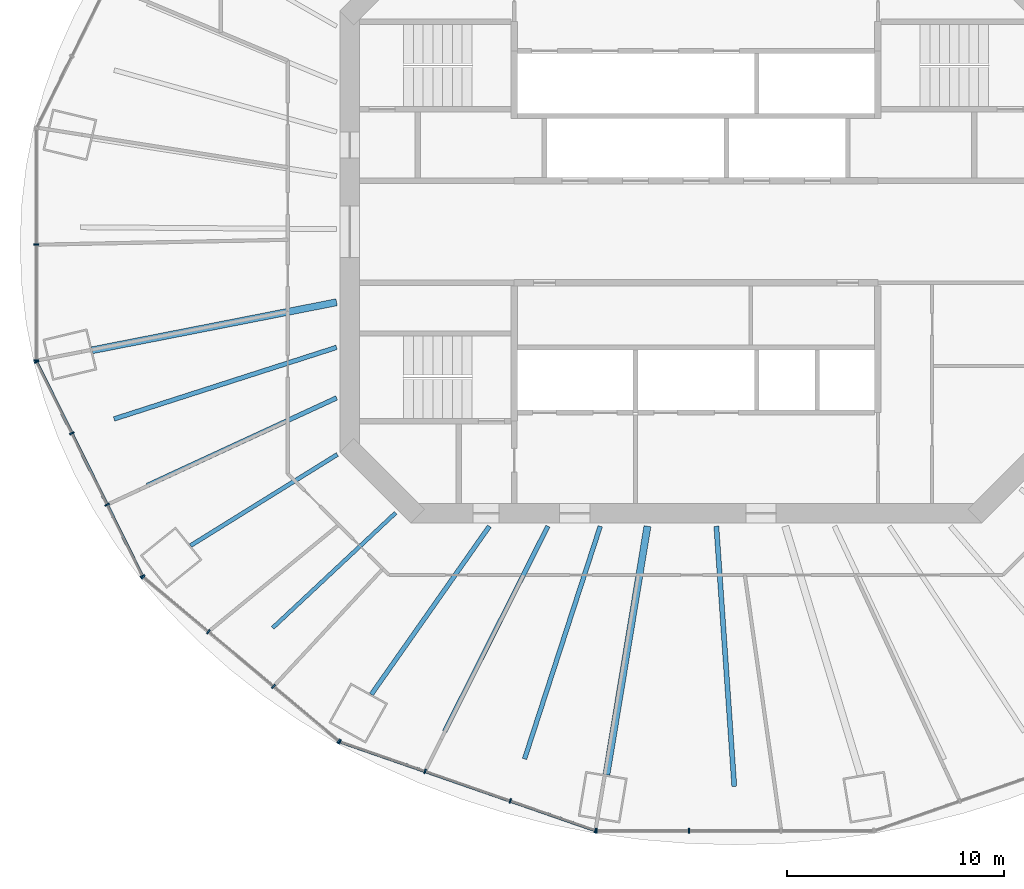
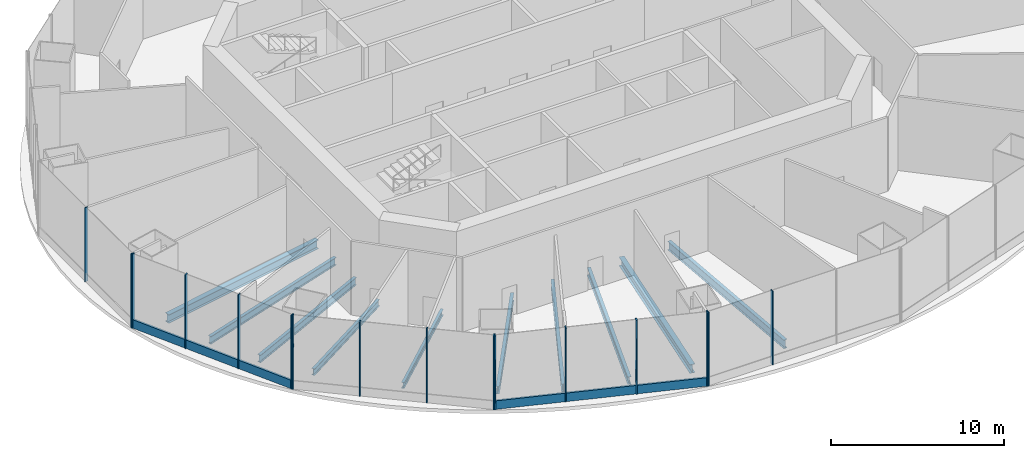
# One storey, part 2 of 15: 18 members, 10 beams, 5 elements without a shape of their own.
"""IFC4 building model written with IfcOpenShell, lengths in metres."""

from ifc_helpers import new_model, si_unit, direction, frame, origin, origin_2d, place, context, subcontext, project, spatial, rectangle, i_section, extrude, material, material_profile, profile_set, type_object, element, aggregate, save


model = new_model("IFC4")

# Units and contexts
model_context = context("Model", 3, precision=1e-05, world=origin(), true_north=direction((0.0, 1.0)))
body_context = subcontext(model_context, "Body", "Model", "MODEL_VIEW")
ifc_project = project(units=[si_unit("LENGTHUNIT", "METRE"), si_unit("AREAUNIT", "SQUARE_METRE"), si_unit("VOLUMEUNIT", "CUBIC_METRE"), si_unit("PLANEANGLEUNIT", "RADIAN"), si_unit("MASSUNIT", "GRAM", prefix="KILO")], contexts=[model_context])

# Site, building, storey
site_placement = place(None, origin())
site = spatial("IfcSite", under=ifc_project, at=site_placement, CompositionType="ELEMENT")
building_placement = place(site_placement, origin())
building = spatial("IfcBuilding", under=site, at=building_placement, Name="Marenthal Gate Tower", CompositionType="ELEMENT")
storey_placement = place(building_placement, frame((0.0, 0.0, 155.64990234375)))
storey = spatial("IfcBuildingStorey", under=building, at=storey_placement, Name="L33", CompositionType="ELEMENT", Elevation=155.64990234375)

# Curtain wall, members
ifc_material_1 = material(Name="Aluminium and glass", Category="aluminium")
curtain_wall_type = type_object("IfcCurtainWallType", Name="Curtain wall sky lobby", PredefinedType="NOTDEFINED", material=ifc_material_1)
curtain_wall_1_placement = place(storey_placement, origin())
curtain_wall_1 = element("IfcCurtainWall", 1, at=curtain_wall_1_placement, inside=storey, type_object=curtain_wall_type, Name="Curtain wall L33 bay 8", PredefinedType="NOTDEFINED")
ifc_material_2 = material(Name="Aluminium", Category="aluminium")
ifc_material_profile_1 = material_profile(ifc_material_2, rectangle(XDim=0.219970703125, YDim=0.070068359375, at=origin_2d()), Name="70x220 aluminium mullion")
ifc_profile_set_1 = profile_set([ifc_material_profile_1], Name="Aluminium")
member_type_1 = type_object("IfcMemberType", Name="Mullion 70x220 sky lobby", PredefinedType="MULLION", material=ifc_profile_set_1)
member_1_placement = place(storey_placement, frame((-30.466796875, -0.60009765625, 0.0), z_axis=(0.0, 0.0, 1.0), x_axis=(1.0, 0.0, 0.0)))
member_1 = element("IfcMember", 2, at=member_1_placement, type_object=member_type_1, Name="Mullion L33 bay 8.2", PredefinedType="MULLION", context=body_context, shape_type="SweptSolid", body=[
    extrude(rectangle(XDim=0.219970703125, YDim=0.070068359375, at=origin_2d()), origin(), (0.0, 0.0, 1.0), 5.22021484375),
])
member_2_placement = place(storey_placement, frame((-30.466796875, -5.952880859375, 0.0), z_axis=(0.0, 0.0, 1.0), x_axis=(1.0, 0.0, 0.0)))
member_2 = element("IfcMember", 3, at=member_2_placement, type_object=member_type_1, Name="Mullion L33 bay 8.3", PredefinedType="MULLION", context=body_context, shape_type="SweptSolid", body=[
    extrude(rectangle(XDim=0.219970703125, YDim=0.070068359375, at=origin_2d()), origin(), (0.0, 0.0, 1.0), 5.22021484375),
])
aggregate(curtain_wall_1, [member_1, member_2])

curtain_wall_2_placement = place(storey_placement, origin())
curtain_wall_2 = element("IfcCurtainWall", 4, at=curtain_wall_2_placement, inside=storey, type_object=curtain_wall_type, Name="Curtain wall L33 bay 9", PredefinedType="NOTDEFINED")
member_3_placement = place(storey_placement, frame((-30.45361328125, -6.009765625, 0.0), z_axis=(0.0, 0.0, 1.0), x_axis=(0.896608747182, 0.442823615536, 0.0)))
member_3 = element("IfcMember", 5, at=member_3_placement, type_object=member_type_1, Name="Mullion L33 bay 9.1", PredefinedType="MULLION", context=body_context, shape_type="SweptSolid", body=[
    extrude(rectangle(XDim=0.219970703125, YDim=0.070068359375, at=origin_2d()), origin(), (0.0, 0.0, 1.0), 5.22021484375),
])
member_4_placement = place(storey_placement, frame((-28.824951171875, -9.307373046875, 0.0), z_axis=(0.0, 0.0, 1.0), x_axis=(0.896608747182, 0.442823615536, 0.0)))
member_4 = element("IfcMember", 6, at=member_4_placement, type_object=member_type_1, Name="Mullion L33 bay 9.2", PredefinedType="MULLION", context=body_context, shape_type="SweptSolid", body=[
    extrude(rectangle(XDim=0.219970703125, YDim=0.070068359375, at=origin_2d()), origin(), (0.0, 0.0, 1.0), 5.22021484375),
])
member_5_placement = place(storey_placement, frame((-27.1962890625, -12.60498046875, 0.0), z_axis=(0.0, 0.0, 1.0), x_axis=(0.896608747182, 0.442823615536, 0.0)))
member_5 = element("IfcMember", 7, at=member_5_placement, type_object=member_type_1, Name="Mullion L33 bay 9.3", PredefinedType="MULLION", context=body_context, shape_type="SweptSolid", body=[
    extrude(rectangle(XDim=0.219970703125, YDim=0.070068359375, at=origin_2d()), origin(), (0.0, 0.0, 1.0), 5.22021484375),
])
member_6_placement = place(storey_placement, frame((-25.56787109375, -15.90234375, 0.0), z_axis=(0.0, 0.0, 1.0), x_axis=(0.896608747182, 0.442823615536, 0.0)))
member_6 = element("IfcMember", 8, at=member_6_placement, type_object=member_type_1, Name="Mullion L33 bay 9.4", PredefinedType="MULLION", context=body_context, shape_type="SweptSolid", body=[
    extrude(rectangle(XDim=0.219970703125, YDim=0.070068359375, at=origin_2d()), origin(), (0.0, 0.0, 1.0), 5.22021484375),
])

curtain_wall_3_placement = place(storey_placement, origin())
curtain_wall_3 = element("IfcCurtainWall", 9, at=curtain_wall_3_placement, inside=storey, type_object=curtain_wall_type, Name="Curtain wall L33 bay 10", PredefinedType="NOTDEFINED")
member_7_placement = place(storey_placement, frame((-25.531494140625, -15.948486328125, 0.0), z_axis=(0.0, 0.0, 1.0), x_axis=(0.642602351007, 0.766199855443, 0.0)))
member_7 = element("IfcMember", 10, at=member_7_placement, type_object=member_type_1, Name="Mullion L33 bay 10.1", PredefinedType="MULLION", context=body_context, shape_type="SweptSolid", body=[
    extrude(rectangle(XDim=0.219970703125, YDim=0.070068359375, at=origin_2d()), origin(), (0.0, 0.0, 1.0), 5.22021484375),
])
member_8_placement = place(storey_placement, frame((-22.521240234375, -18.47314453125, 0.0), z_axis=(0.0, 0.0, 1.0), x_axis=(0.642602351007, 0.766199855443, 0.0)))
member_8 = element("IfcMember", 11, at=member_8_placement, type_object=member_type_1, Name="Mullion L33 bay 10.2", PredefinedType="MULLION", context=body_context, shape_type="SweptSolid", body=[
    extrude(rectangle(XDim=0.219970703125, YDim=0.070068359375, at=origin_2d()), origin(), (0.0, 0.0, 1.0), 5.22021484375),
])
member_9_placement = place(storey_placement, frame((-19.510986328125, -20.998046875, 0.0), z_axis=(0.0, 0.0, 1.0), x_axis=(0.642602351007, 0.766199855443, 0.0)))
member_9 = element("IfcMember", 12, at=member_9_placement, type_object=member_type_1, Name="Mullion L33 bay 10.3", PredefinedType="MULLION", context=body_context, shape_type="SweptSolid", body=[
    extrude(rectangle(XDim=0.219970703125, YDim=0.070068359375, at=origin_2d()), origin(), (0.0, 0.0, 1.0), 5.22021484375),
])
member_10_placement = place(storey_placement, frame((-16.500732421875, -23.522705078125, 0.0), z_axis=(0.0, 0.0, 1.0), x_axis=(0.642602351007, 0.766199855443, 0.0)))
member_10 = element("IfcMember", 13, at=member_10_placement, type_object=member_type_1, Name="Mullion L33 bay 10.4", PredefinedType="MULLION", context=body_context, shape_type="SweptSolid", body=[
    extrude(rectangle(XDim=0.219970703125, YDim=0.070068359375, at=origin_2d()), origin(), (0.0, 0.0, 1.0), 5.22021484375),
])
aggregate(curtain_wall_3, [member_7, member_8, member_9, member_10])

curtain_wall_4_placement = place(storey_placement, origin())
curtain_wall_4 = element("IfcCurtainWall", 14, at=curtain_wall_4_placement, inside=storey, type_object=curtain_wall_type, Name="Curtain wall L33 bay 11", PredefinedType="NOTDEFINED")
member_11_placement = place(storey_placement, frame((-16.449462890625, -23.5517578125, 0.0), z_axis=(0.0, 0.0, 1.0), x_axis=(0.328157600538, 0.944622987868, 0.0)))
member_11 = element("IfcMember", 15, at=member_11_placement, type_object=member_type_1, Name="Mullion L33 bay 11.1", PredefinedType="MULLION", context=body_context, shape_type="SweptSolid", body=[
    extrude(rectangle(XDim=0.219970703125, YDim=0.070068359375, at=origin_2d()), origin(), (0.0, 0.0, 1.0), 5.22021484375),
])
member_12_placement = place(storey_placement, frame((-12.51513671875, -24.91845703125, 0.0), z_axis=(0.0, 0.0, 1.0), x_axis=(0.328157600538, 0.944622987868, 0.0)))
member_12 = element("IfcMember", 16, at=member_12_placement, type_object=member_type_1, Name="Mullion L33 bay 11.2", PredefinedType="MULLION", context=body_context, shape_type="SweptSolid", body=[
    extrude(rectangle(XDim=0.219970703125, YDim=0.070068359375, at=origin_2d()), origin(), (0.0, 0.0, 1.0), 5.22021484375),
])
member_13_placement = place(storey_placement, frame((-8.580810546875, -26.28515625, 0.0), z_axis=(0.0, 0.0, 1.0), x_axis=(0.328157600538, 0.944622987868, 0.0)))
member_13 = element("IfcMember", 17, at=member_13_placement, type_object=member_type_1, Name="Mullion L33 bay 11.3", PredefinedType="MULLION", context=body_context, shape_type="SweptSolid", body=[
    extrude(rectangle(XDim=0.219970703125, YDim=0.070068359375, at=origin_2d()), origin(), (0.0, 0.0, 1.0), 5.22021484375),
])
member_14_placement = place(storey_placement, frame((-4.646728515625, -27.65185546875, 0.0), z_axis=(0.0, 0.0, 1.0), x_axis=(0.328157600538, 0.944622987868, 0.0)))
member_14 = element("IfcMember", 18, at=member_14_placement, type_object=member_type_1, Name="Mullion L33 bay 11.4", PredefinedType="MULLION", context=body_context, shape_type="SweptSolid", body=[
    extrude(rectangle(XDim=0.219970703125, YDim=0.070068359375, at=origin_2d()), origin(), (0.0, 0.0, 1.0), 5.22021484375),
])

curtain_wall_5_placement = place(storey_placement, origin())
curtain_wall_5 = element("IfcCurtainWall", 19, at=curtain_wall_5_placement, inside=storey, type_object=curtain_wall_type, Name="Curtain wall L33 bay 12", PredefinedType="NOTDEFINED")
member_15_placement = place(storey_placement, frame((-4.58837890625, -27.661865234375, 0.0), z_axis=(0.0, 0.0, 1.0), x_axis=(0.0, 1.0, 0.0)))
member_15 = element("IfcMember", 20, at=member_15_placement, type_object=member_type_1, Name="Mullion L33 bay 12.1", PredefinedType="MULLION", context=body_context, shape_type="SweptSolid", body=[
    extrude(rectangle(XDim=0.219970703125, YDim=0.070068359375, at=origin_2d()), origin(), (0.0, 0.0, 1.0), 5.22021484375),
])
member_16_placement = place(storey_placement, frame((-0.329345703125, -27.661865234375, 0.0), z_axis=(0.0, 0.0, 1.0), x_axis=(0.0, 1.0, 0.0)))
member_16 = element("IfcMember", 21, at=member_16_placement, type_object=member_type_1, Name="Mullion L33 bay 12.2", PredefinedType="MULLION", context=body_context, shape_type="SweptSolid", body=[
    extrude(rectangle(XDim=0.219970703125, YDim=0.070068359375, at=origin_2d()), origin(), (0.0, 0.0, 1.0), 5.22021484375),
])
aggregate(curtain_wall_5, [member_15, member_16])

# Member
ifc_material_3 = material(Name="Aluminium", Category="aluminium")
ifc_material_profile_2 = material_profile(ifc_material_3, rectangle(XDim=0.139892578125, YDim=0.60009765625, at=origin_2d()), Name="140x600 aluminium transom")
ifc_profile_set_2 = profile_set([ifc_material_profile_2], Name="Aluminium")
member_type_2 = type_object("IfcMemberType", Name="Transom 140x600 sky lobby", PredefinedType="USERDEFINED", material=ifc_profile_set_2)
member_17_placement = place(storey_placement, frame((-30.438232421875, -6.041259765625, 0.300048828125), z_axis=(0.442834683094, -0.896603280972, 0.0), x_axis=(0.896603280972, 0.442834683094, 0.0)))
member_17 = element("IfcMember", 22, at=member_17_placement, type_object=member_type_2, Name="Transom L33 bay 9", ObjectType="TRANSOM", PredefinedType="USERDEFINED", context=body_context, shape_type="SweptSolid", body=[
    extrude(rectangle(XDim=0.139892578125, YDim=0.60009765625, at=origin_2d()), origin(), (0.0, 0.0, 1.0), 10.96337890625),
])

aggregate(curtain_wall_2, [member_3, member_4, member_5, member_6, member_17])

member_18_placement = place(storey_placement, frame((-16.416259765625, -23.563232421875, 0.300048828125), z_axis=(0.944625028285, -0.328151727006, 0.0), x_axis=(0.328151727006, 0.944625028285, 0.0)))
member_18 = element("IfcMember", 23, at=member_18_placement, type_object=member_type_2, Name="Transom L33 bay 11", ObjectType="TRANSOM", PredefinedType="USERDEFINED", context=body_context, shape_type="SweptSolid", body=[
    extrude(rectangle(XDim=0.139892578125, YDim=0.60009765625, at=origin_2d()), origin(), (0.0, 0.0, 1.0), 12.424560546875),
])

aggregate(curtain_wall_4, [member_11, member_12, member_13, member_14, member_18])

# Beams
ifc_material_4 = material(Name="Steel S355", Category="steel")
ifc_material_profile_3 = material_profile(ifc_material_4, i_section(OverallWidth=0.180908203125, OverallDepth=0.4169921875, WebThickness=0.010986328125, FlangeThickness=0.018310546875, FilletRadius=0.01025390625, at=origin_2d()), Name="W410X85")
ifc_profile_set_3 = profile_set([ifc_material_profile_3], Name="Steel S355")
beam_type_1 = type_object("IfcBeamType", Name="W410X85 beam", PredefinedType="BEAM", material=ifc_profile_set_3)
beam_1_placement = place(storey_placement, frame((-19.552490234375, -18.29541015625, -0.45849609375), z_axis=(0.730199210485, 0.683234303155, 0.0), x_axis=(-0.683234303155, 0.730199210485, 0.0)))
element("IfcBeam", 24, at=beam_1_placement, inside=storey, type_object=beam_type_1, Name="BM-L33-31", PredefinedType="BEAM", context=body_context, shape_type="SweptSolid", body=[
    extrude(i_section(OverallWidth=0.180908203125, OverallDepth=0.4169921875, WebThickness=0.010986328125, FlangeThickness=0.018310546875, FilletRadius=0.01025390625, at=origin_2d()), origin(), (0.0, 0.0, 1.0), 7.781982421875),
])
ifc_material_5 = material(Name="Steel S355", Category="steel")
ifc_material_profile_4 = material_profile(ifc_material_5, i_section(OverallWidth=0.193115234375, OverallDepth=0.467041015625, WebThickness=0.011474609375, FlangeThickness=0.01904296875, FilletRadius=0.010009765625, at=origin_2d()), Name="W460X97")
ifc_profile_set_4 = profile_set([ifc_material_profile_4], Name="Steel S355")
beam_type_2 = type_object("IfcBeamType", Name="W460X97 beam", PredefinedType="BEAM", material=ifc_profile_set_4)
beam_2_placement = place(storey_placement, frame((-23.342041015625, -14.493408203125, -0.4833984375), z_axis=(0.849555528181, 0.527499198613, 0.0), x_axis=(-0.527499198613, 0.849555528181, 0.0)))
element("IfcBeam", 25, at=beam_2_placement, inside=storey, type_object=beam_type_2, Name="BM-L33-10", PredefinedType="BEAM", context=body_context, shape_type="SweptSolid", body=[
    extrude(i_section(OverallWidth=0.193115234375, OverallDepth=0.467041015625, WebThickness=0.011474609375, FlangeThickness=0.01904296875, FilletRadius=0.010009765625, at=origin_2d()), origin(), (0.0, 0.0, 1.0), 7.978759765625),
])
ifc_material_6 = material(Name="Steel S355", Category="steel")
ifc_material_profile_5 = material_profile(ifc_material_6, i_section(OverallWidth=0.2099609375, OverallDepth=0.535888671875, WebThickness=0.010986328125, FlangeThickness=0.017333984375, FilletRadius=0.0126953125, at=origin_2d()), Name="W530X101")
ifc_profile_set_5 = profile_set([ifc_material_profile_5], Name="Steel S355")
beam_type_3 = type_object("IfcBeamType", Name="W530X101 beam", PredefinedType="BEAM", material=ifc_profile_set_5)
beam_3_placement = place(storey_placement, frame((-25.345703125, -11.716064453125, -0.517822265625), z_axis=(0.907710774435, 0.419596413206, 0.0), x_axis=(-0.419596413206, 0.907710774435, 0.0)))
element("IfcBeam", 26, at=beam_3_placement, inside=storey, type_object=beam_type_3, Name="BM-L33-30", PredefinedType="BEAM", context=body_context, shape_type="SweptSolid", body=[
    extrude(i_section(OverallWidth=0.2099609375, OverallDepth=0.535888671875, WebThickness=0.010986328125, FlangeThickness=0.017333984375, FilletRadius=0.0126953125, at=origin_2d()), origin(), (0.0, 0.0, 1.0), 9.634765625),
])
ifc_material_7 = material(Name="Steel S355", Category="steel")
ifc_material_profile_6 = material_profile(ifc_material_7, i_section(OverallWidth=0.2119140625, OverallDepth=0.5439453125, WebThickness=0.01318359375, FlangeThickness=0.021240234375, FilletRadius=0.0126953125, at=origin_2d()), Name="W530X123")
ifc_profile_set_6 = profile_set([ifc_material_profile_6], Name="Steel S355")
beam_type_4 = type_object("IfcBeamType", Name="W530X123 beam", PredefinedType="BEAM", material=ifc_profile_set_6)
beam_4_placement = place(storey_placement, frame((-14.993408203125, -21.364013671875, -0.52197265625), z_axis=(0.574451769533, 0.81853843189, 0.0), x_axis=(-0.81853843189, 0.574451769533, 0.0)))
element("IfcBeam", 27, at=beam_4_placement, inside=storey, type_object=beam_type_4, Name="BM-L33-11", PredefinedType="BEAM", context=body_context, shape_type="SweptSolid", body=[
    extrude(i_section(OverallWidth=0.2119140625, OverallDepth=0.5439453125, WebThickness=0.01318359375, FlangeThickness=0.021240234375, FilletRadius=0.0126953125, at=origin_2d()), origin(), (0.0, 0.0, 1.0), 9.485107421875),
])
beam_5_placement = place(storey_placement, frame((-26.876953125, -8.6455078125, -0.52197265625), z_axis=(0.951957474717, 0.306230250514, 0.0), x_axis=(-0.306230250514, 0.951957474717, 0.0)))
element("IfcBeam", 28, at=beam_5_placement, inside=storey, type_object=beam_type_4, Name="BM-L33-29", PredefinedType="BEAM", context=body_context, shape_type="SweptSolid", body=[
    extrude(i_section(OverallWidth=0.2119140625, OverallDepth=0.5439453125, WebThickness=0.01318359375, FlangeThickness=0.021240234375, FilletRadius=0.0126953125, at=origin_2d()), origin(), (0.0, 0.0, 1.0), 10.79541015625),
])
beam_6_placement = place(storey_placement, frame((-11.60986328125, -23.072021484375, -0.52197265625), z_axis=(0.449505355801, 0.893277636072, 0.0), x_axis=(-0.893277636072, 0.449505355801, 0.0)))
element("IfcBeam", 29, at=beam_6_placement, inside=storey, type_object=beam_type_4, Name="BM-L33-32", PredefinedType="BEAM", context=body_context, shape_type="SweptSolid", body=[
    extrude(i_section(OverallWidth=0.2119140625, OverallDepth=0.5439453125, WebThickness=0.01318359375, FlangeThickness=0.021240234375, FilletRadius=0.0126953125, at=origin_2d()), origin(), (0.0, 0.0, 1.0), 10.603515625),
])
beam_7_placement = place(storey_placement, frame((-7.918701171875, -24.342041015625, -0.52197265625), z_axis=(0.30934654049, 0.950949377142, 0.0), x_axis=(-0.950949377142, 0.30934654049, 0.0)))
element("IfcBeam", 30, at=beam_7_placement, inside=storey, type_object=beam_type_4, Name="BM-L33-33", PredefinedType="BEAM", context=body_context, shape_type="SweptSolid", body=[
    extrude(i_section(OverallWidth=0.2119140625, OverallDepth=0.5439453125, WebThickness=0.01318359375, FlangeThickness=0.021240234375, FilletRadius=0.0126953125, at=origin_2d()), origin(), (0.0, 0.0, 1.0), 11.2958984375),
])
ifc_material_8 = material(Name="Steel S355", Category="steel")
ifc_material_profile_7 = material_profile(ifc_material_8, i_section(OverallWidth=0.22900390625, OverallDepth=0.612060546875, WebThickness=0.011962890625, FlangeThickness=0.01953125, FilletRadius=0.0126953125, at=origin_2d()), Name="W610X125")
ifc_profile_set_7 = profile_set([ifc_material_profile_7], Name="Steel S355")
beam_type_5 = type_object("IfcBeamType", Name="W610X125 beam", PredefinedType="BEAM", material=ifc_profile_set_7)
beam_8_placement = place(storey_placement, frame((1.765380859375, -25.6123046875, -0.555908203125), z_axis=(-0.068756859847, 0.997633446825, 0.0), x_axis=(-0.997633446825, -0.068756859847, 0.0)))
element("IfcBeam", 31, at=beam_8_placement, inside=storey, type_object=beam_type_5, Name="BM-L33-34", PredefinedType="BEAM", context=body_context, shape_type="SweptSolid", body=[
    extrude(i_section(OverallWidth=0.22900390625, OverallDepth=0.612060546875, WebThickness=0.011962890625, FlangeThickness=0.01953125, FilletRadius=0.0126953125, at=origin_2d()), origin(), (0.0, 0.0, 1.0), 12.040771484375),
])
ifc_material_9 = material(Name="Steel S355", Category="steel")
ifc_material_profile_8 = material_profile(ifc_material_9, i_section(OverallWidth=0.324951171875, OverallDepth=0.612060546875, WebThickness=0.0126953125, FlangeThickness=0.01904296875, FilletRadius=0.0126953125, at=origin_2d()), Name="W610X155")
ifc_profile_set_8 = profile_set([ifc_material_profile_8], Name="Steel S355")
beam_type_6 = type_object("IfcBeamType", Name="W610X155 beam", PredefinedType="BEAM", material=ifc_profile_set_8)
beam_9_placement = place(storey_placement, frame((-27.885986328125, -5.472412109375, -0.555908203125), z_axis=(0.98128214281, 0.192575585687, 0.0), x_axis=(-0.192575585687, 0.98128214281, 0.0)))
element("IfcBeam", 32, at=beam_9_placement, inside=storey, type_object=beam_type_6, Name="BM-L33-09", PredefinedType="BEAM", context=body_context, shape_type="SweptSolid", body=[
    extrude(i_section(OverallWidth=0.324951171875, OverallDepth=0.612060546875, WebThickness=0.0126953125, FlangeThickness=0.01904296875, FilletRadius=0.0126953125, at=origin_2d()), origin(), (0.0, 0.0, 1.0), 11.501220703125),
])
beam_10_placement = place(storey_placement, frame((-4.138916015625, -25.076171875, -0.555908203125), z_axis=(0.162839854432, 0.986652513202, 0.0), x_axis=(-0.986652513202, 0.162839854432, 0.0)))
element("IfcBeam", 33, at=beam_10_placement, inside=storey, type_object=beam_type_6, Name="BM-L33-12", PredefinedType="BEAM", context=body_context, shape_type="SweptSolid", body=[
    extrude(i_section(OverallWidth=0.324951171875, OverallDepth=0.612060546875, WebThickness=0.0126953125, FlangeThickness=0.01904296875, FilletRadius=0.0126953125, at=origin_2d()), origin(), (0.0, 0.0, 1.0), 11.63134765625),
])

save(model, "model.ifc")
